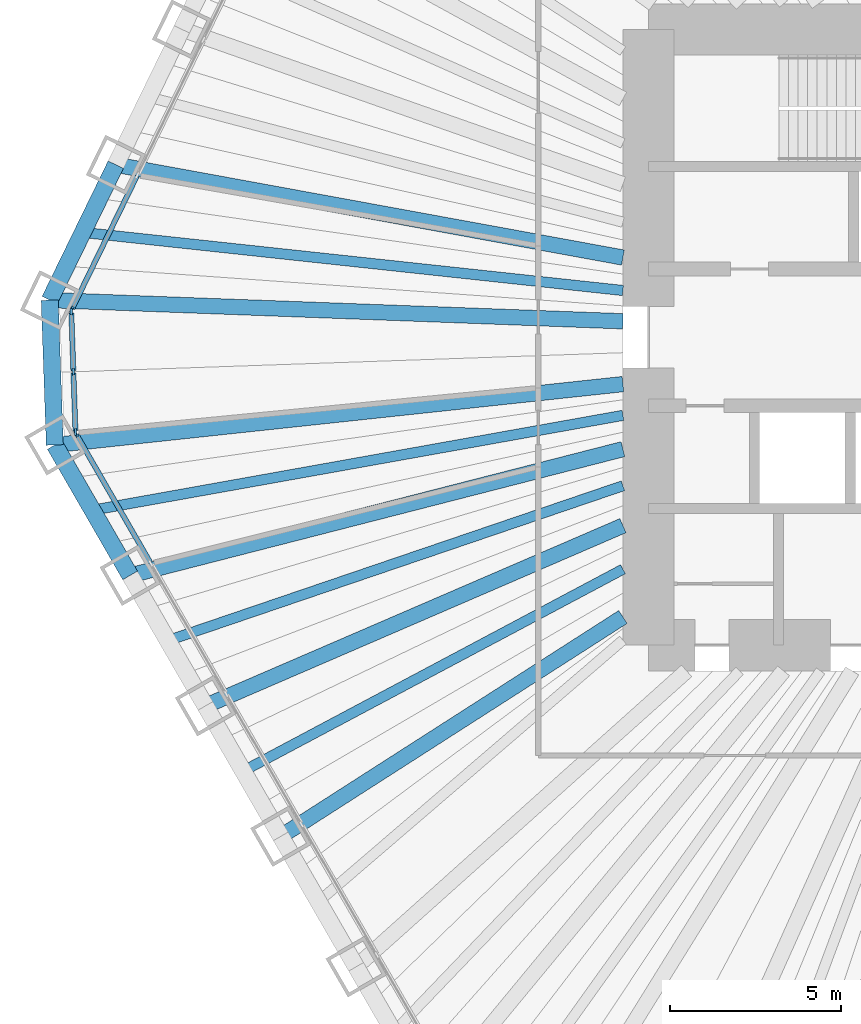
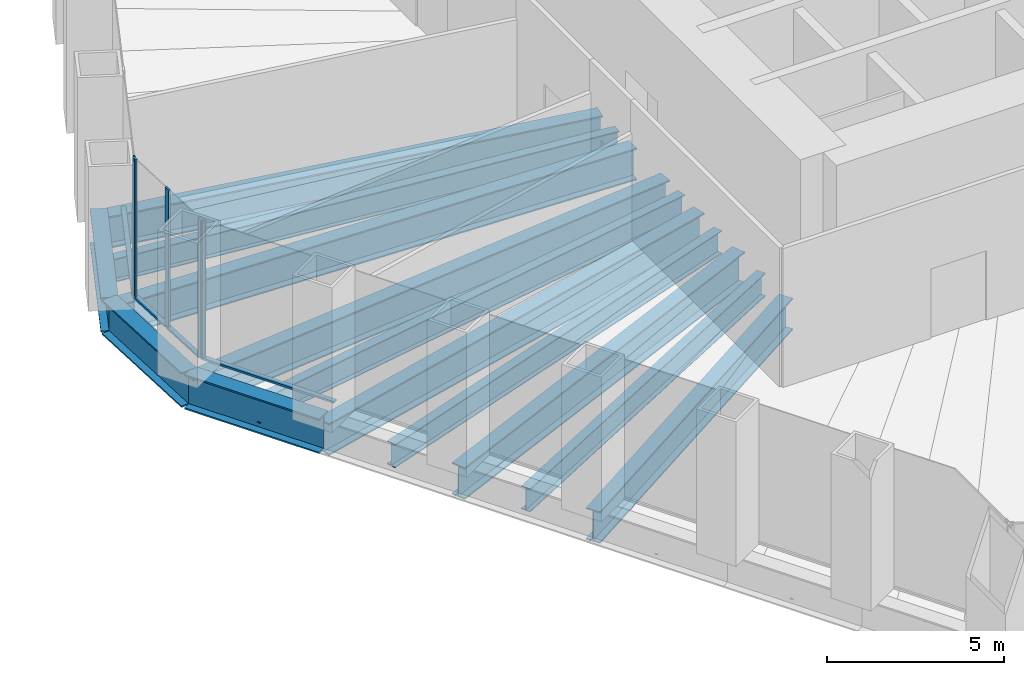
# One storey, part 3 of 13: 13 beams, 9 members, 3 elements without a shape of their own.
"""IFC4 building model written with IfcOpenShell, lengths in metres."""

from ifc_helpers import new_model, si_unit, direction, frame, origin, origin_2d, place, context, subcontext, project, spatial, rectangle, i_section, extrude, material, material_profile, profile_set, type_object, element, aggregate, save


model = new_model("IFC4")

# Units and contexts
model_context = context("Model", 3, precision=1e-05, world=origin(), true_north=direction((0.0, 1.0)))
body_context = subcontext(model_context, "Body", "Model", "MODEL_VIEW")
ifc_project = project(units=[si_unit("LENGTHUNIT", "METRE"), si_unit("AREAUNIT", "SQUARE_METRE"), si_unit("VOLUMEUNIT", "CUBIC_METRE"), si_unit("PLANEANGLEUNIT", "RADIAN"), si_unit("MASSUNIT", "GRAM", prefix="KILO")], contexts=[model_context])

# Site, building, storey
site_placement = place(None, origin())
site = spatial("IfcSite", under=ifc_project, at=site_placement, CompositionType="ELEMENT")
building_placement = place(site_placement, origin())
building = spatial("IfcBuilding", under=site, at=building_placement, Name="Qingtian Harvest Tower", CompositionType="ELEMENT")
storey_placement = place(building_placement, frame((0.0, 0.0, 32.0)))
storey = spatial("IfcBuildingStorey", under=building, at=storey_placement, Name="L06", CompositionType="ELEMENT", Elevation=32.0)

# Beams
ifc_material_1 = material(Name="Steel SM570MC", Category="steel")
ifc_material_profile_1 = material_profile(ifc_material_1, i_section(OverallWidth=0.449951171875, OverallDepth=1.10009765625, WebThickness=0.02197265625, FlangeThickness=0.044921875, at=origin_2d()), Name="H1100x450x22x45")
ifc_profile_set_1 = profile_set([ifc_material_profile_1], Name="Steel SM570MC")
beam_type_1 = type_object("IfcBeamType", Name="Corner floor beam FB8 H1100x450x22x45", PredefinedType="BEAM", material=ifc_profile_set_1)
beam_1_placement = place(storey_placement, frame((-29.36083984375, -3.145751953125, -0.75), z_axis=(0.994308822197, 0.106536219669, 0.0), x_axis=(-0.106536219669, 0.994308822197, 0.0)))
element("IfcBeam", 1, at=beam_1_placement, inside=storey, type_object=beam_type_1, Name="Floor beam FB8 SW6", PredefinedType="BEAM", context=body_context, shape_type="SweptSolid", body=[
    extrude(i_section(OverallWidth=0.449951171875, OverallDepth=1.10009765625, WebThickness=0.02197265625, FlangeThickness=0.044921875, at=origin_2d()), origin(), (0.0, 0.0, 1.0), 16.705810546875),
])
beam_2_placement = place(storey_placement, frame((-29.5087890625, 1.08984375, -0.75), z_axis=(0.999318796571, -0.036904509488, 0.0), x_axis=(0.036904509488, 0.999318796571, 0.0)))
element("IfcBeam", 2, at=beam_2_placement, inside=storey, type_object=beam_type_1, Name="Floor beam FB8 NW0", PredefinedType="BEAM", context=body_context, shape_type="SweptSolid", body=[
    extrude(i_section(OverallWidth=0.449951171875, OverallDepth=1.10009765625, WebThickness=0.02197265625, FlangeThickness=0.044921875, at=origin_2d()), origin(), (0.0, 0.0, 1.0), 16.770263671875),
])
ifc_material_2 = material(Name="Steel SM570MC", Category="steel")
ifc_material_profile_2 = material_profile(ifc_material_2, i_section(OverallWidth=0.449951171875, OverallDepth=1.10009765625, WebThickness=0.02197265625, FlangeThickness=0.044921875, at=origin_2d()), Name="H1100x450x22x45")
ifc_profile_set_2 = profile_set([ifc_material_profile_2], Name="Steel SM570MC")
beam_type_2 = type_object("IfcBeamType", Name="Floor beam FB1 H1100x450x22x45", PredefinedType="BEAM", material=ifc_profile_set_2)
beam_3_placement = place(storey_placement, frame((-22.75390625, -14.589111328125, -0.75), z_axis=(0.841829353865, 0.539743771591, 0.0), x_axis=(-0.539743771591, 0.841829353865, 0.0)))
element("IfcBeam", 3, at=beam_3_placement, inside=storey, type_object=beam_type_2, Name="Floor beam FB1 SW3", PredefinedType="BEAM", context=body_context, shape_type="SweptSolid", body=[
    extrude(i_section(OverallWidth=0.449951171875, OverallDepth=1.10009765625, WebThickness=0.02197265625, FlangeThickness=0.044921875, at=origin_2d()), origin(), (0.0, 0.0, 1.0), 11.883544921875),
])
beam_4_placement = place(storey_placement, frame((-24.9560546875, -10.774658203125, -0.75), z_axis=(0.918083617325, 0.396386770213, 0.0), x_axis=(-0.396386770213, 0.918083617325, 0.0)))
element("IfcBeam", 4, at=beam_4_placement, inside=storey, type_object=beam_type_2, Name="Floor beam FB1 SW4", PredefinedType="BEAM", context=body_context, shape_type="SweptSolid", body=[
    extrude(i_section(OverallWidth=0.449951171875, OverallDepth=1.10009765625, WebThickness=0.02197265625, FlangeThickness=0.044921875, at=origin_2d()), origin(), (0.0, 0.0, 1.0), 13.295166015625),
])
beam_5_placement = place(storey_placement, frame((-27.158447265625, -6.960205078125, -0.75), z_axis=(0.968693729942, 0.248258851947, 0.0), x_axis=(-0.248258851947, 0.968693729942, 0.0)))
element("IfcBeam", 5, at=beam_5_placement, inside=storey, type_object=beam_type_2, Name="Floor beam FB1 SW5", PredefinedType="BEAM", context=body_context, shape_type="SweptSolid", body=[
    extrude(i_section(OverallWidth=0.449951171875, OverallDepth=1.10009765625, WebThickness=0.02197265625, FlangeThickness=0.044921875, at=origin_2d()), origin(), (0.0, 0.0, 1.0), 14.8740234375),
])
beam_6_placement = place(storey_placement, frame((-27.577880859375, 5.048828125, -0.75), z_axis=(0.98365177106, -0.180081074215, 0.0), x_axis=(0.180081074215, 0.98365177106, 0.0)))
element("IfcBeam", 6, at=beam_6_placement, inside=storey, type_object=beam_type_2, Name="Floor beam FB1 NW1", PredefinedType="BEAM", context=body_context, shape_type="SweptSolid", body=[
    extrude(i_section(OverallWidth=0.449951171875, OverallDepth=1.10009765625, WebThickness=0.02197265625, FlangeThickness=0.044921875, at=origin_2d()), origin(), (0.0, 0.0, 1.0), 15.07421875),
])
ifc_material_3 = material(Name="Steel SN490B", Category="steel")
ifc_material_profile_3 = material_profile(ifc_material_3, i_section(OverallWidth=0.300048828125, OverallDepth=0.800048828125, WebThickness=0.013916015625, FlangeThickness=0.02587890625, at=origin_2d()), Name="H800x300x14x26")
ifc_profile_set_3 = profile_set([ifc_material_profile_3], Name="Steel SN490B")
beam_type_3 = type_object("IfcBeamType", Name="Floor joist J1 H800x300x14x26", PredefinedType="JOIST", material=ifc_profile_set_3)
beam_7_placement = place(storey_placement, frame((-23.85498046875, -12.681884765625, -0.60009765625), z_axis=(0.882982474604, 0.469405953885, 0.0), x_axis=(-0.469405953885, 0.882982474604, 0.0)))
element("IfcBeam", 7, at=beam_7_placement, inside=storey, type_object=beam_type_3, Name="Floor joist J1 SW3", PredefinedType="JOIST", context=body_context, shape_type="SweptSolid", body=[
    extrude(i_section(OverallWidth=0.300048828125, OverallDepth=0.800048828125, WebThickness=0.013916015625, FlangeThickness=0.02587890625, at=origin_2d()), origin(), (0.0, 0.0, 1.0), 12.57666015625),
])
beam_8_placement = place(storey_placement, frame((-26.057373046875, -8.867431640625, -0.60009765625), z_axis=(0.946684735425, 0.322161468387, 0.0), x_axis=(-0.322161468387, 0.946684735425, 0.0)))
element("IfcBeam", 8, at=beam_8_placement, inside=storey, type_object=beam_type_3, Name="Floor joist J1 SW4", PredefinedType="JOIST", context=body_context, shape_type="SweptSolid", body=[
    extrude(i_section(OverallWidth=0.300048828125, OverallDepth=0.800048828125, WebThickness=0.013916015625, FlangeThickness=0.02587890625, at=origin_2d()), origin(), (0.0, 0.0, 1.0), 14.056884765625),
])
beam_9_placement = place(storey_placement, frame((-28.259521484375, -5.052978515625, -0.60009765625), z_axis=(0.984387614034, 0.176014275943, 0.0), x_axis=(-0.176014275943, 0.984387614034, 0.0)))
element("IfcBeam", 9, at=beam_9_placement, inside=storey, type_object=beam_type_3, Name="Floor joist J1 SW5", PredefinedType="JOIST", context=body_context, shape_type="SweptSolid", body=[
    extrude(i_section(OverallWidth=0.300048828125, OverallDepth=0.800048828125, WebThickness=0.013916015625, FlangeThickness=0.02587890625, at=origin_2d()), origin(), (0.0, 0.0, 1.0), 15.755615234375),
])
beam_10_placement = place(storey_placement, frame((-28.543212890625, 3.0693359375, -0.60009765625), z_axis=(0.994268320665, -0.106913546948, 0.0), x_axis=(0.106913546948, 0.994268320665, 0.0)))
element("IfcBeam", 10, at=beam_10_placement, inside=storey, type_object=beam_type_3, Name="Floor joist J1 NW0", PredefinedType="JOIST", context=body_context, shape_type="SweptSolid", body=[
    extrude(i_section(OverallWidth=0.300048828125, OverallDepth=0.800048828125, WebThickness=0.013916015625, FlangeThickness=0.02587890625, at=origin_2d()), origin(), (0.0, 0.0, 1.0), 15.88427734375),
])

# Curtain wall, member
ifc_material_4 = material(Name="Bronze-anodised aluminium curtain wall", Category="aluminium")
curtain_wall_type = type_object("IfcCurtainWallType", Name="Curtain wall CW2 farm reception", PredefinedType="USERDEFINED", material=ifc_material_4)
curtain_wall_1_placement = place(storey_placement, origin())
curtain_wall_1 = element("IfcCurtainWall", 11, at=curtain_wall_1_placement, inside=storey, type_object=curtain_wall_type, Name="Curtain wall CW2 L06 SW0-5", ObjectType="RECESSED CURTAIN WALL", PredefinedType="USERDEFINED")
ifc_material_5 = material(Name="Bronze-anodised aluminium mullion", Category="aluminium")
ifc_material_profile_4 = material_profile(ifc_material_5, rectangle(XDim=0.06494140625, YDim=0.199951171875, at=origin_2d()), Name="AL 65x200")
ifc_profile_set_4 = profile_set([ifc_material_profile_4], Name="Bronze-anodised aluminium mullion")
member_type_1 = type_object("IfcMemberType", Name="Mullion CWM 65x200", PredefinedType="MULLION", material=ifc_profile_set_4)
member_1_placement = place(storey_placement, frame((-28.73828125, -2.82373046875, 0.0), z_axis=(0.0, 0.0, 1.0), x_axis=(-0.866025403784, -0.5, 0.0)))
member_1 = element("IfcMember", 12, at=member_1_placement, type_object=member_type_1, Name="CW2 mullion 7", PredefinedType="MULLION", context=body_context, shape_type="SweptSolid", body=[
    extrude(rectangle(XDim=0.06494140625, YDim=0.199951171875, at=origin_2d()), origin(), (0.0, 0.0, 1.0), 4.800048828125),
])

# Curtain wall, members
curtain_wall_2_placement = place(storey_placement, origin())
curtain_wall_2 = element("IfcCurtainWall", 13, at=curtain_wall_2_placement, inside=storey, type_object=curtain_wall_type, Name="Curtain wall CW2 L06 SWC", ObjectType="RECESSED CURTAIN WALL", PredefinedType="USERDEFINED")
member_2_placement = place(storey_placement, frame((-28.755615234375, -2.76318359375, 0.0), z_axis=(0.0, 0.0, 1.0), x_axis=(-0.999390827019, -0.034899496703, 0.0)))
member_2 = element("IfcMember", 14, at=member_2_placement, type_object=member_type_1, Name="CW2 mullion 1", PredefinedType="MULLION", context=body_context, shape_type="SweptSolid", body=[
    extrude(rectangle(XDim=0.06494140625, YDim=0.199951171875, at=origin_2d()), origin(), (0.0, 0.0, 1.0), 4.800048828125),
])
member_3_placement = place(storey_placement, frame((-28.817138671875, -1.00634765625, 0.0), z_axis=(0.0, 0.0, 1.0), x_axis=(-0.999390827019, -0.034899496703, 0.0)))
member_3 = element("IfcMember", 15, at=member_3_placement, type_object=member_type_1, Name="CW2 mullion 2", PredefinedType="MULLION", context=body_context, shape_type="SweptSolid", body=[
    extrude(rectangle(XDim=0.06494140625, YDim=0.199951171875, at=origin_2d()), origin(), (0.0, 0.0, 1.0), 4.800048828125),
])
member_4_placement = place(storey_placement, frame((-28.87841796875, 0.75048828125, 0.0), z_axis=(0.0, 0.0, 1.0), x_axis=(-0.999390827019, -0.034899496703, 0.0)))
member_4 = element("IfcMember", 16, at=member_4_placement, type_object=member_type_1, Name="CW2 mullion 3", PredefinedType="MULLION", context=body_context, shape_type="SweptSolid", body=[
    extrude(rectangle(XDim=0.06494140625, YDim=0.199951171875, at=origin_2d()), origin(), (0.0, 0.0, 1.0), 4.800048828125),
])

# Curtain wall, member
curtain_wall_3_placement = place(storey_placement, origin())
curtain_wall_3 = element("IfcCurtainWall", 17, at=curtain_wall_3_placement, inside=storey, type_object=curtain_wall_type, Name="Curtain wall CW2 L06 NW0-5", ObjectType="RECESSED CURTAIN WALL", PredefinedType="USERDEFINED")
member_5_placement = place(storey_placement, frame((-28.865234375, 0.812255859375, 0.0), z_axis=(0.0, 0.0, 1.0), x_axis=(-0.898794046299, 0.438371146789, 0.0)))
member_5 = element("IfcMember", 18, at=member_5_placement, type_object=member_type_1, Name="CW2 mullion 1", PredefinedType="MULLION", context=body_context, shape_type="SweptSolid", body=[
    extrude(rectangle(XDim=0.06494140625, YDim=0.199951171875, at=origin_2d()), origin(), (0.0, 0.0, 1.0), 4.800048828125),
])

# Beams
ifc_material_6 = material(Name="Steel SM570MC", Category="steel")
ifc_material_profile_5 = material_profile(ifc_material_6, i_section(OverallWidth=0.5, OverallDepth=1.199951171875, WebThickness=0.02490234375, FlangeThickness=0.050048828125, at=origin_2d()), Name="H1200x500x25x50")
ifc_profile_set_5 = profile_set([ifc_material_profile_5], Name="Steel SM570MC")
beam_type_4 = type_object("IfcBeamType", Name="Spandrel beam SB1 H1200x500x25x50", PredefinedType="SPANDREL", material=ifc_profile_set_5)
beam_11_placement = place(storey_placement, frame((-27.158447265625, -6.960205078125, -0.60009765625), z_axis=(-0.50001992892, 0.866013897511, 0.0), x_axis=(-0.866013897511, -0.50001992892, 0.0)))
element("IfcBeam", 19, at=beam_11_placement, inside=storey, type_object=beam_type_4, Name="Spandrel SB1 SW5", PredefinedType="SPANDREL", context=body_context, shape_type="SweptSolid", body=[
    extrude(i_section(OverallWidth=0.5, OverallDepth=1.199951171875, WebThickness=0.02490234375, FlangeThickness=0.050048828125, at=origin_2d()), origin(), (0.0, 0.0, 1.0), 4.404541015625),
])
beam_12_placement = place(storey_placement, frame((-29.36083984375, -3.145751953125, -0.60009765625), z_axis=(-0.034908677553, 0.999390506375, 0.0), x_axis=(-0.999390506375, -0.034908677553, 0.0)))
element("IfcBeam", 20, at=beam_12_placement, inside=storey, type_object=beam_type_4, Name="Spandrel SB1 SWC", PredefinedType="SPANDREL", context=body_context, shape_type="SweptSolid", body=[
    extrude(i_section(OverallWidth=0.5, OverallDepth=1.199951171875, WebThickness=0.02490234375, FlangeThickness=0.050048828125, at=origin_2d()), origin(), (0.0, 0.0, 1.0), 4.23828125),
])
beam_13_placement = place(storey_placement, frame((-29.5087890625, 1.08984375, -0.60009765625), z_axis=(0.438367938366, 0.898795611145, 0.0), x_axis=(-0.898795611145, 0.438367938366, 0.0)))
element("IfcBeam", 21, at=beam_13_placement, inside=storey, type_object=beam_type_4, Name="Spandrel SB1 NW0", PredefinedType="SPANDREL", context=body_context, shape_type="SweptSolid", body=[
    extrude(i_section(OverallWidth=0.5, OverallDepth=1.199951171875, WebThickness=0.02490234375, FlangeThickness=0.050048828125, at=origin_2d()), origin(), (0.0, 0.0, 1.0), 4.40478515625),
])

# Member
ifc_material_7 = material(Name="Bronze-anodised aluminium transom", Category="aluminium")
ifc_material_profile_6 = material_profile(ifc_material_7, rectangle(XDim=0.14990234375, YDim=0.06494140625, at=origin_2d()), Name="AL 65x150")
ifc_profile_set_6 = profile_set([ifc_material_profile_6], Name="Bronze-anodised aluminium transom")
member_type_2 = type_object("IfcMemberType", Name="Transom CWT 65x150", PredefinedType="USERDEFINED", material=ifc_profile_set_6)
member_6_placement = place(storey_placement, frame((-26.568603515625, -6.58203125, 0.032470703125), z_axis=(-0.499967798808, 0.866043994353, 0.0), x_axis=(-0.866043994353, -0.499967798808, 0.0)))
member_6 = element("IfcMember", 22, at=member_6_placement, type_object=member_type_2, Name="CW2 transom 6.1", ObjectType="TRANSOM", PredefinedType="USERDEFINED", context=body_context, shape_type="SweptSolid", body=[
    extrude(rectangle(XDim=0.14990234375, YDim=0.06494140625, at=origin_2d()), origin(), (0.0, 0.0, 1.0), 4.306884765625),
])

aggregate(curtain_wall_1, [member_1, member_6])

member_7_placement = place(storey_placement, frame((-28.7568359375, -2.730712890625, 0.032470703125), z_axis=(-0.034899362377, 0.99939083171, 0.0), x_axis=(-0.99939083171, -0.034899362377, 0.0)))
member_7 = element("IfcMember", 23, at=member_7_placement, type_object=member_type_2, Name="CW2 transom 1.1", ObjectType="TRANSOM", PredefinedType="USERDEFINED", context=body_context, shape_type="SweptSolid", body=[
    extrude(rectangle(XDim=0.14990234375, YDim=0.06494140625, at=origin_2d()), origin(), (0.0, 0.0, 1.0), 1.69287109375),
])

member_8_placement = place(storey_placement, frame((-28.818115234375, -0.973876953125, 0.032470703125), z_axis=(-0.034899362377, 0.99939083171, 0.0), x_axis=(-0.99939083171, -0.034899362377, 0.0)))
member_8 = element("IfcMember", 24, at=member_8_placement, type_object=member_type_2, Name="CW2 transom 2.1", ObjectType="TRANSOM", PredefinedType="USERDEFINED", context=body_context, shape_type="SweptSolid", body=[
    extrude(rectangle(XDim=0.14990234375, YDim=0.06494140625, at=origin_2d()), origin(), (0.0, 0.0, 1.0), 1.69287109375),
])

aggregate(curtain_wall_2, [member_2, member_3, member_4, member_7, member_8])

member_9_placement = place(storey_placement, frame((-28.85107421875, 0.841552734375, 0.032470703125), z_axis=(0.438394595167, 0.898782609383, 0.0), x_axis=(-0.898782609383, 0.438394595167, 0.0)))
member_9 = element("IfcMember", 25, at=member_9_placement, type_object=member_type_2, Name="CW2 transom 1.1", ObjectType="TRANSOM", PredefinedType="USERDEFINED", context=body_context, shape_type="SweptSolid", body=[
    extrude(rectangle(XDim=0.14990234375, YDim=0.06494140625, at=origin_2d()), origin(), (0.0, 0.0, 1.0), 4.30712890625),
])

aggregate(curtain_wall_3, [member_5, member_9])

save(model, "model.ifc")
